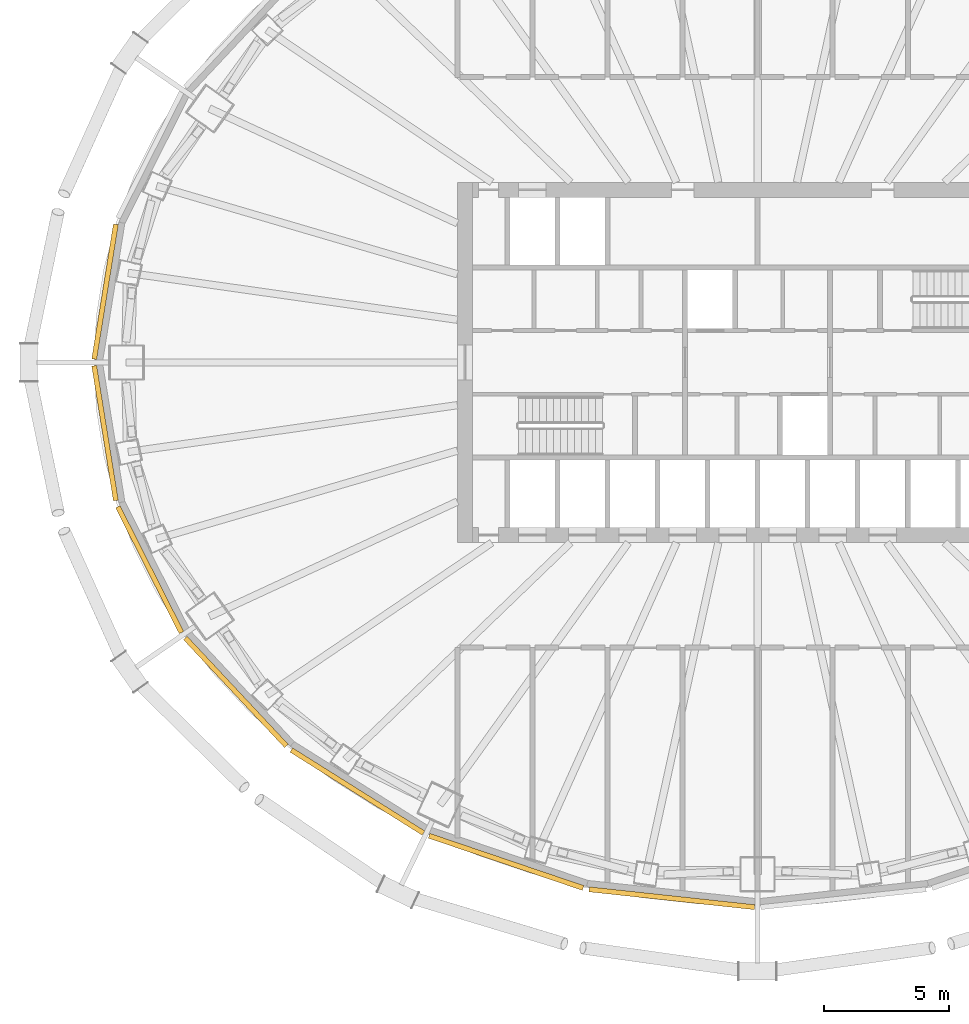
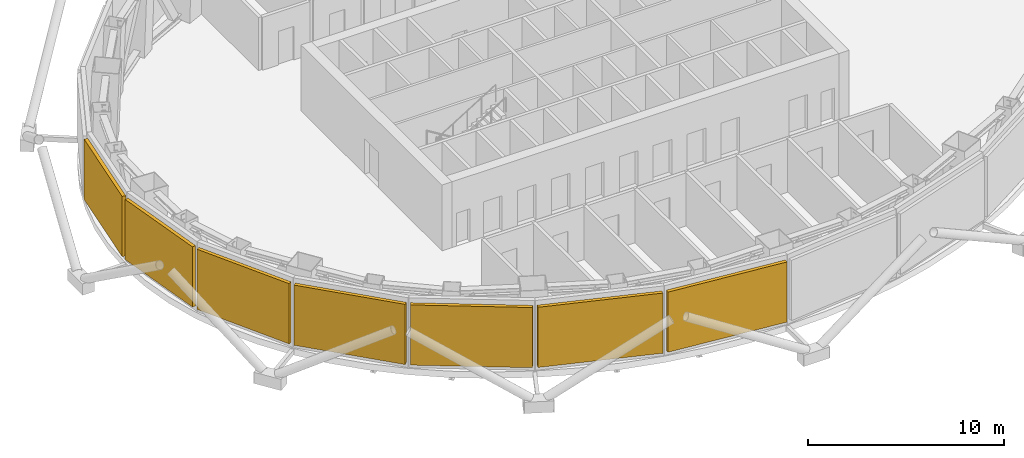
# One storey, part 15 of 18: 7 shading devices.
"""IFC4 building model written with IfcOpenShell, lengths in metres."""

from ifc_helpers import new_model, si_unit, direction, frame, origin, origin_2d, place, context, subcontext, project, spatial, rectangle, extrude, material, layer, layer_set, type_object, element, save


model = new_model("IFC4")

# Units and contexts
model_context = context("Model", 3, precision=1e-05, world=origin(), true_north=direction((0.0, 1.0)))
body_context = subcontext(model_context, "Body", "Model", "MODEL_VIEW")
ifc_project = project(units=[si_unit("LENGTHUNIT", "METRE"), si_unit("AREAUNIT", "SQUARE_METRE"), si_unit("VOLUMEUNIT", "CUBIC_METRE"), si_unit("PLANEANGLEUNIT", "RADIAN"), si_unit("MASSUNIT", "GRAM", prefix="KILO")], contexts=[model_context])

# Site, building, storey
site_placement = place(None, origin())
site = spatial("IfcSite", under=ifc_project, at=site_placement, CompositionType="ELEMENT")
building_placement = place(site_placement, origin())
building = spatial("IfcBuilding", under=site, at=building_placement, Name="Siaravel Broadcast Tower", CompositionType="ELEMENT")
storey_placement = place(building_placement, frame((0.0, 0.0, 92.60009765625)))
storey = spatial("IfcBuildingStorey", under=building, at=storey_placement, Name="L21", CompositionType="ELEMENT", Elevation=92.60009765625)

# Shading devices
ifc_material = material(Name="Bronze anodised aluminium", Category="aluminium")
ifc_layer = layer(ifc_material, 0.199951171875)
ifc_layer_set = layer_set([ifc_layer], Name="Bronze anodised aluminium")
shading_device_type = type_object("IfcShadingDeviceType", Name="Plant louvre bank", PredefinedType="USERDEFINED", material=ifc_layer_set)
for number, where, z_axis, x_axis, name in (
    (1, (-26.0810546875, 2.82666015625, 0.2998046875), (0.0, 0.0, 1.0), (-0.158685394, -0.987329198, 0.0), "L21 plant louvre bank 12"),
    (2, (-26.0810546875, -2.82666015625, 0.2998046875), (0.0, 0.0, 1.0), (0.158685394, -0.987329198, 0.0), "L21 plant louvre bank 13"),
):
    element("IfcShadingDevice", number, at=place(storey_placement, frame(where, z_axis=z_axis, x_axis=x_axis)), inside=storey, type_object=shading_device_type, Name=name, ObjectType="LOUVRE", PredefinedType="USERDEFINED", context=body_context, shape_type="SweptSolid", body=[
        extrude(rectangle(XDim=5.4541015625, YDim=0.199951171875, at=origin_2d()), origin(), (0.0, 0.0, 1.0), 3.75),
    ])
shading_device_1_placement = place(storey_placement, frame((-24.296142578125, -8.28369140625, 0.2998046875), z_axis=(0.0, 0.0, 1.0), x_axis=(0.451260732, -0.892392151, 0.0)))
element("IfcShadingDevice", 3, at=shading_device_1_placement, inside=storey, type_object=shading_device_type, Name="L21 plant louvre bank 14", ObjectType="LOUVRE", PredefinedType="USERDEFINED", context=body_context, shape_type="SweptSolid", body=[
    extrude(rectangle(XDim=5.628173828125, YDim=0.199951171875, at=origin_2d()), origin(), (0.0, 0.0, 1.0), 3.75),
])
shading_device_2_placement = place(storey_placement, frame((-20.853759765625, -13.168212890625, 0.2998046875), z_axis=(0.0, 0.0, 1.0), x_axis=(0.683654718, -0.729805608, 0.0)))
element("IfcShadingDevice", 4, at=shading_device_2_placement, inside=storey, type_object=shading_device_type, Name="L21 plant louvre bank 15", ObjectType="LOUVRE", PredefinedType="USERDEFINED", context=body_context, shape_type="SweptSolid", body=[
    extrude(rectangle(XDim=5.91748046875, YDim=0.199951171875, at=origin_2d()), origin(), (0.0, 0.0, 1.0), 3.75),
])
shading_device_3_placement = place(storey_placement, frame((-15.994140625, -17.1494140625, 0.2998046875), z_axis=(0.0, 0.0, 1.0), x_axis=(0.846650436, -0.532149452, 0.0)))
element("IfcShadingDevice", 5, at=shading_device_3_placement, inside=storey, type_object=shading_device_type, Name="L21 plant louvre bank 16", ObjectType="LOUVRE", PredefinedType="USERDEFINED", context=body_context, shape_type="SweptSolid", body=[
    extrude(rectangle(XDim=6.235595703125, YDim=0.199951171875, at=origin_2d()), origin(), (0.0, 0.0, 1.0), 3.75),
])
shading_device_4_placement = place(storey_placement, frame((-10.05078125, -19.960205078125, 0.2998046875), z_axis=(0.0, 0.0, 1.0), x_axis=(0.946977245, -0.321300635, 0.0)))
element("IfcShadingDevice", 6, at=shading_device_4_placement, inside=storey, type_object=shading_device_type, Name="L21 plant louvre bank 17", ObjectType="LOUVRE", PredefinedType="USERDEFINED", context=body_context, shape_type="SweptSolid", body=[
    extrude(rectangle(XDim=6.4990234375, YDim=0.199951171875, at=origin_2d()), origin(), (0.0, 0.0, 1.0), 3.75),
])
shading_device_5_placement = place(storey_placement, frame((-3.427490234375, -21.4140625, 0.2998046875), z_axis=(0.0, 0.0, 1.0), x_axis=(0.994235667, -0.107216783, 0.0)))
element("IfcShadingDevice", 7, at=shading_device_5_placement, inside=storey, type_object=shading_device_type, Name="L21 plant louvre bank 18", ObjectType="LOUVRE", PredefinedType="USERDEFINED", context=body_context, shape_type="SweptSolid", body=[
    extrude(rectangle(XDim=6.646484375, YDim=0.199951171875, at=origin_2d()), origin(), (0.0, 0.0, 1.0), 3.75),
])

save(model, "model.ifc")
